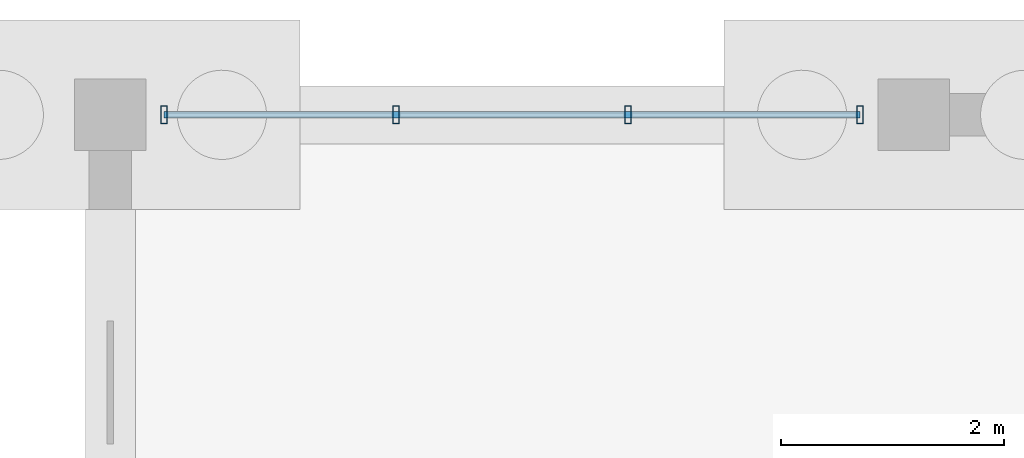
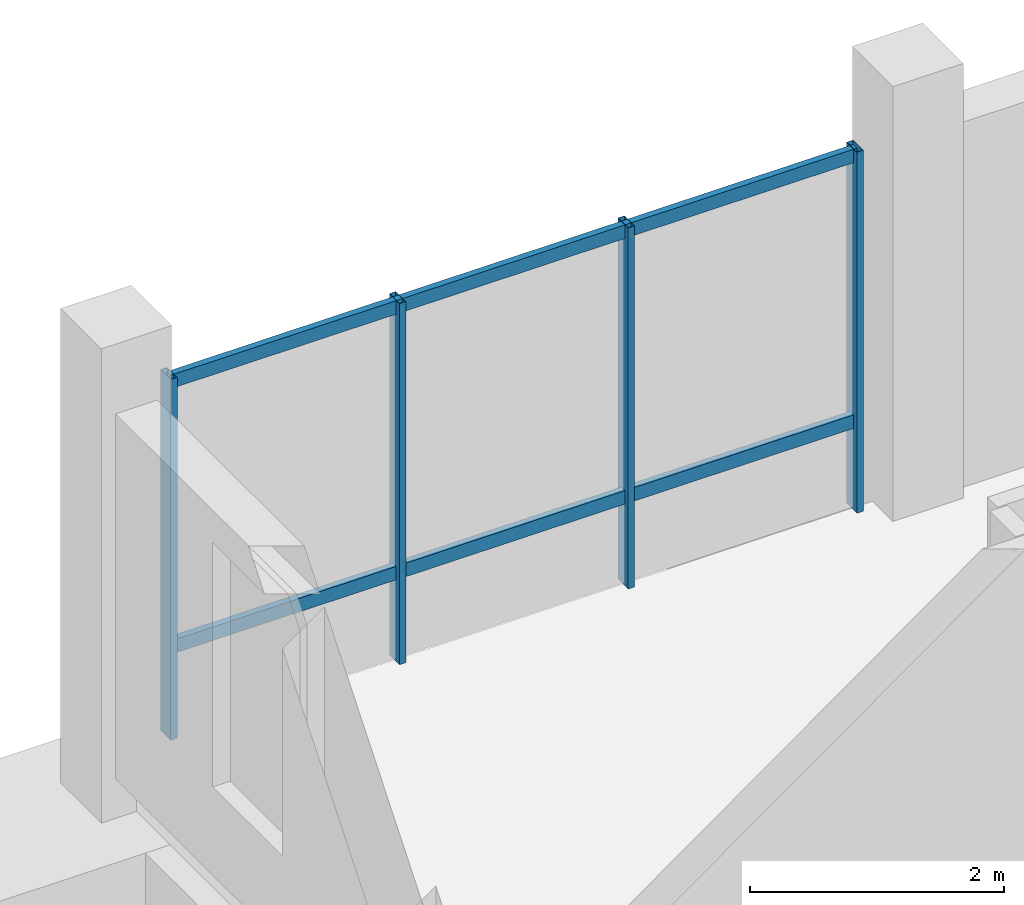
# One storey, part 61 of 98: 6 members, 1 element without a shape of its own.
"""IFC4 building model written with IfcOpenShell, lengths in metres."""

from ifc_helpers import new_model, si_unit, direction, frame, origin, origin_2d, place, context, subcontext, project, spatial, hollow_rectangle, extrude, material, material_profile, profile_set, type_object, element, aggregate, save


model = new_model("IFC4")

# Units and contexts
model_context = context("Model", 3, precision=1e-05, world=origin(), true_north=direction((0.0, 1.0)))
body_context = subcontext(model_context, "Body", "Model", "MODEL_VIEW")
ifc_project = project(units=[si_unit("LENGTHUNIT", "METRE"), si_unit("AREAUNIT", "SQUARE_METRE"), si_unit("VOLUMEUNIT", "CUBIC_METRE"), si_unit("PLANEANGLEUNIT", "RADIAN"), si_unit("MASSUNIT", "GRAM", prefix="KILO")], contexts=[model_context])

# Site, building, storey
site_placement = place(None, origin())
site = spatial("IfcSite", under=ifc_project, at=site_placement, CompositionType="ELEMENT")
building_placement = place(site_placement, origin())
building = spatial("IfcBuilding", under=site, at=building_placement, Name="Zornivar Specialist Clinic", CompositionType="ELEMENT")
storey_placement = place(building_placement, origin())
storey = spatial("IfcBuildingStorey", under=building, at=storey_placement, Name="L00", CompositionType="ELEMENT", Elevation=0.0)

# Curtain wall, members
ifc_material_1 = material(Name="Aluminium and Low-E Glass Curtain Wall", Category="aluminium")
curtain_wall_type = type_object("IfcCurtainWallType", Name="CW-LAB-NORTH", PredefinedType="NOTDEFINED", material=ifc_material_1)
curtain_wall_placement = place(storey_placement, origin())
curtain_wall = element("IfcCurtainWall", 1, at=curtain_wall_placement, inside=storey, type_object=curtain_wall_type, Name="cw:V6:L00:14", PredefinedType="NOTDEFINED")
ifc_material_2 = material(Name="Aluminium AW-6060", Category="aluminium")
ifc_material_profile_1 = material_profile(ifc_material_2, hollow_rectangle(XDim=0.06005859375, YDim=0.159912109375, WallThickness=0.00390625, at=origin_2d()), Name="ALU 60x160x4")
ifc_profile_set_1 = profile_set([ifc_material_profile_1], Name="Aluminium AW-6060")
member_type_1 = type_object("IfcMemberType", Name="CWM-MUL-160", PredefinedType="MULLION", material=ifc_profile_set_1)
member_1_placement = place(storey_placement, frame((143.52001953125, 112.800048828125, 0.0), z_axis=(0.0, 0.0, 1.0), x_axis=(1.0, 0.0, 0.0)))
member_1 = element("IfcMember", 2, at=member_1_placement, type_object=member_type_1, Name="cw:V6:L00:14:mul:0", PredefinedType="MULLION", context=body_context, shape_type="SweptSolid", body=[
    extrude(hollow_rectangle(XDim=0.06005859375, YDim=0.159912109375, WallThickness=0.00390625, at=origin_2d()), origin(), (0.0, 0.0, 1.0), 3.469970703125),
])
member_2_placement = place(storey_placement, frame((141.43994140625, 112.800048828125, 0.0), z_axis=(0.0, 0.0, 1.0), x_axis=(1.0, 0.0, 0.0)))
member_2 = element("IfcMember", 3, at=member_2_placement, type_object=member_type_1, Name="cw:V6:L00:14:mul:1", PredefinedType="MULLION", context=body_context, shape_type="SweptSolid", body=[
    extrude(hollow_rectangle(XDim=0.06005859375, YDim=0.159912109375, WallThickness=0.00390625, at=origin_2d()), origin(), (0.0, 0.0, 1.0), 3.469970703125),
])
member_3_placement = place(storey_placement, frame((139.360107421875, 112.800048828125, 0.0), z_axis=(0.0, 0.0, 1.0), x_axis=(1.0, 0.0, 0.0)))
member_3 = element("IfcMember", 4, at=member_3_placement, type_object=member_type_1, Name="cw:V6:L00:14:mul:2", PredefinedType="MULLION", context=body_context, shape_type="SweptSolid", body=[
    extrude(hollow_rectangle(XDim=0.06005859375, YDim=0.159912109375, WallThickness=0.00390625, at=origin_2d()), origin(), (0.0, 0.0, 1.0), 3.469970703125),
])
member_4_placement = place(storey_placement, frame((137.280029296875, 112.800048828125, 0.0), z_axis=(0.0, 0.0, 1.0), x_axis=(1.0, 0.0, 0.0)))
member_4 = element("IfcMember", 5, at=member_4_placement, type_object=member_type_1, Name="cw:V6:L00:14:mul:3", PredefinedType="MULLION", context=body_context, shape_type="SweptSolid", body=[
    extrude(hollow_rectangle(XDim=0.06005859375, YDim=0.159912109375, WallThickness=0.00390625, at=origin_2d()), origin(), (0.0, 0.0, 1.0), 3.469970703125),
])
ifc_material_3 = material(Name="Aluminium AW-6060", Category="aluminium")
ifc_material_profile_2 = material_profile(ifc_material_3, hollow_rectangle(XDim=0.06005859375, YDim=0.1298828125, WallThickness=0.00390625, at=origin_2d()), Name="ALU 60x130x4")
ifc_profile_set_2 = profile_set([ifc_material_profile_2], Name="Aluminium AW-6060")
member_type_2 = type_object("IfcMemberType", Name="CWM-TRN-130", PredefinedType="USERDEFINED", material=ifc_profile_set_2)
member_5_placement = place(storey_placement, frame((143.52001953125, 112.800048828125, 0.85009765625), z_axis=(-1.0, 0.0, 0.0), x_axis=(0.0, -1.0, 0.0)))
member_5 = element("IfcMember", 6, at=member_5_placement, type_object=member_type_2, Name="cw:V6:L00:14:trn:0", ObjectType="TRANSOM", PredefinedType="USERDEFINED", context=body_context, shape_type="SweptSolid", body=[
    extrude(hollow_rectangle(XDim=0.06005859375, YDim=0.1298828125, WallThickness=0.00390625, at=origin_2d()), origin(), (0.0, 0.0, 1.0), 6.239990234375),
])
member_6_placement = place(storey_placement, frame((143.52001953125, 112.800048828125, 3.405029296875), z_axis=(-1.0, 0.0, 0.0), x_axis=(0.0, -1.0, 0.0)))
member_6 = element("IfcMember", 7, at=member_6_placement, type_object=member_type_2, Name="cw:V6:L00:14:trn:1", ObjectType="TRANSOM", PredefinedType="USERDEFINED", context=body_context, shape_type="SweptSolid", body=[
    extrude(hollow_rectangle(XDim=0.06005859375, YDim=0.1298828125, WallThickness=0.00390625, at=origin_2d()), origin(), (0.0, 0.0, 1.0), 6.239990234375),
])
aggregate(curtain_wall, [member_1, member_2, member_3, member_4, member_5, member_6])

save(model, "model.ifc")
